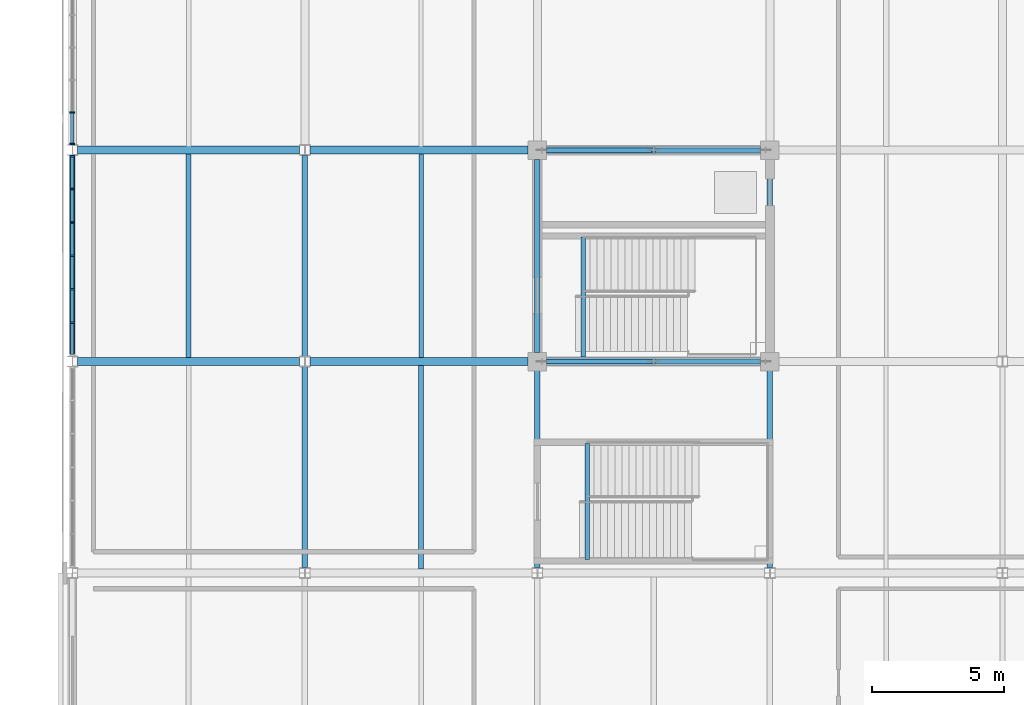
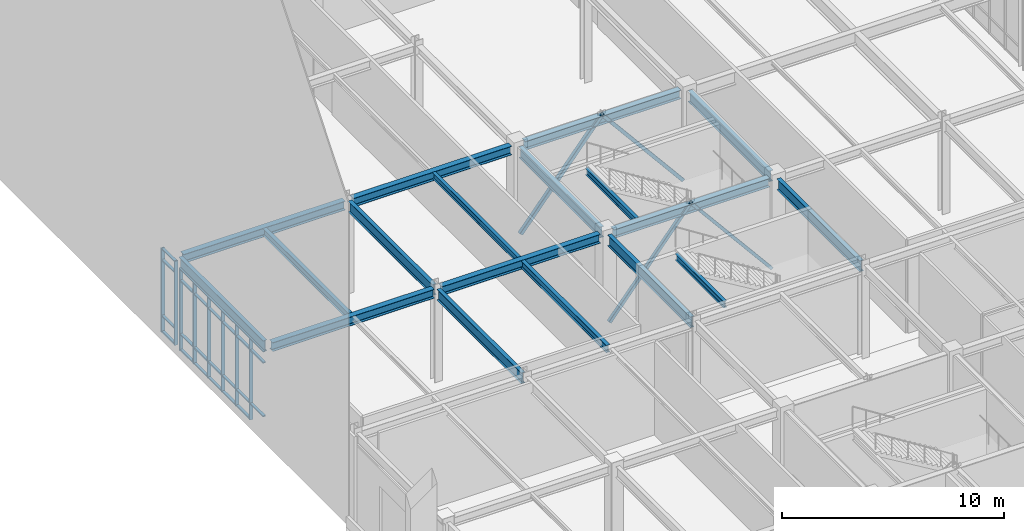
# One storey, part 41 of 119: 39 members, 18 beams, 2 elements without a shape of their own.
"""IFC4 building model written with IfcOpenShell, lengths in metres."""

from ifc_helpers import new_model, si_unit, direction, frame, origin, origin_2d, place, context, subcontext, project, spatial, rectangle, hollow_rectangle, i_section, extrude, material, material_profile, profile_set, type_object, element, aggregate, save


model = new_model("IFC4")

# Units and contexts
model_context = context("Model", 3, precision=1e-05, world=origin(), true_north=direction((0.0, 1.0)))
body_context = subcontext(model_context, "Body", "Model", "MODEL_VIEW")
ifc_project = project(units=[si_unit("LENGTHUNIT", "METRE"), si_unit("AREAUNIT", "SQUARE_METRE"), si_unit("VOLUMEUNIT", "CUBIC_METRE"), si_unit("PLANEANGLEUNIT", "RADIAN"), si_unit("MASSUNIT", "GRAM", prefix="KILO")], contexts=[model_context])

# Site, building, storey
site_placement = place(None, origin())
site = spatial("IfcSite", under=ifc_project, at=site_placement, CompositionType="ELEMENT")
building_placement = place(site_placement, origin())
building = spatial("IfcBuilding", under=site, at=building_placement, Name="Zhaolan Boulevard Law Courts", CompositionType="ELEMENT")
storey_placement = place(building_placement, origin())
storey = spatial("IfcBuildingStorey", under=building, at=storey_placement, Name="L00", CompositionType="ELEMENT", Elevation=0.0)

# Members
ifc_material_1 = material(Name="Structural steel Q355B", Category="steel")
ifc_material_profile_1 = material_profile(ifc_material_1, hollow_rectangle(XDim=0.159912109375, YDim=0.159912109375, WallThickness=0.008056640625, InnerFilletRadius=0.008056640625, OuterFilletRadius=0.01611328125, at=origin_2d()), Name="HSS160x160x8")
ifc_profile_set_1 = profile_set([ifc_material_profile_1], Name="Structural steel Q355B")
member_type_1 = type_object("IfcMemberType", Name="BRACE HSS160", PredefinedType="BRACE", material=ifc_profile_set_1)
member_1_placement = place(storey_placement, frame((26.219970703125, 86.0, 0.030029296875), z_axis=(-0.638239277889, 0.0, 0.769838050605), x_axis=(0.0, -1.0, 0.0)))
element("IfcMember", 1, at=member_1_placement, inside=storey, type_object=member_type_1, Name="Core Brace BR-L1-L00-S2", PredefinedType="BRACE", context=body_context, shape_type="SweptSolid", body=[
    extrude(hollow_rectangle(XDim=0.159912109375, YDim=0.159912109375, WallThickness=0.008056640625, InnerFilletRadius=0.008056640625, OuterFilletRadius=0.01611328125, at=origin_2d()), origin(), (0.0, 0.0, 1.0), 6.61181640625),
])
ifc_material_2 = material(Name="Structural steel Q355B", Category="steel")
ifc_material_profile_2 = material_profile(ifc_material_2, hollow_rectangle(XDim=0.179931640625, YDim=0.179931640625, WallThickness=0.008056640625, InnerFilletRadius=0.008056640625, OuterFilletRadius=0.01611328125, at=origin_2d()), Name="HSS180x180x8")
ifc_profile_set_2 = profile_set([ifc_material_profile_2], Name="Structural steel Q355B")
member_type_2 = type_object("IfcMemberType", Name="BRACE HSS180", PredefinedType="BRACE", material=ifc_profile_set_2)
for number, where, z_axis, x_axis, name in (
    (2, (26.219970703125, 94.0, 0.030029296875), (-0.638239277889, 0.0, 0.769838050605), (0.0, -1.0, 0.0), "Core Brace BR-L1-L00-N2"),
    (3, (17.780029296875, 86.0, 0.030029296875), (0.638239277889, 0.0, 0.769838050605), (0.0, 1.0, 0.0), "Core Brace BR-L1-L00-S1"),
):
    element("IfcMember", number, at=place(storey_placement, frame(where, z_axis=z_axis, x_axis=x_axis)), inside=storey, type_object=member_type_2, Name=name, PredefinedType="BRACE", context=body_context, shape_type="SweptSolid", body=[
        extrude(hollow_rectangle(XDim=0.179931640625, YDim=0.179931640625, WallThickness=0.008056640625, InnerFilletRadius=0.008056640625, OuterFilletRadius=0.01611328125, at=origin_2d()), origin(), (0.0, 0.0, 1.0), 6.61181640625),
    ])
ifc_material_3 = material(Name="Structural steel Q355B", Category="steel")
ifc_material_profile_3 = material_profile(ifc_material_3, hollow_rectangle(XDim=0.199951171875, YDim=0.199951171875, WallThickness=0.010009765625, InnerFilletRadius=0.010009765625, OuterFilletRadius=0.02001953125, at=origin_2d()), Name="HSS200x200x10")
ifc_profile_set_3 = profile_set([ifc_material_profile_3], Name="Structural steel Q355B")
member_type_3 = type_object("IfcMemberType", Name="BRACE HSS200", PredefinedType="BRACE", material=ifc_profile_set_3)
member_2_placement = place(storey_placement, frame((17.780029296875, 94.0, 0.030029296875), z_axis=(0.638239277889, 0.0, 0.769838050605), x_axis=(0.0, 1.0, 0.0)))
element("IfcMember", 4, at=member_2_placement, inside=storey, type_object=member_type_3, Name="Core Brace BR-L1-L00-N1", PredefinedType="BRACE", context=body_context, shape_type="SweptSolid", body=[
    extrude(hollow_rectangle(XDim=0.199951171875, YDim=0.199951171875, WallThickness=0.010009765625, InnerFilletRadius=0.010009765625, OuterFilletRadius=0.02001953125, at=origin_2d()), origin(), (0.0, 0.0, 1.0), 6.61181640625),
])

# Curtain wall, members
ifc_material_4 = material(Name="Thermally broken aluminium and low-E glazing", Category="aluminium")
curtain_wall_type_1 = type_object("IfcCurtainWallType", Name="CURTAIN WALL M5", PredefinedType="USERDEFINED", material=ifc_material_4)
curtain_wall_1_placement = place(storey_placement, origin())
curtain_wall_1 = element("IfcCurtainWall", 5, at=curtain_wall_1_placement, inside=storey, type_object=curtain_wall_type_1, Name="Curtain Wall CW-L00-101", ObjectType="CURTAIN WALL", PredefinedType="USERDEFINED")
ifc_material_5 = material(Name="Fluorocarbon-coated aluminium 6063-T6", Category="aluminium")
ifc_material_profile_4 = material_profile(ifc_material_5, rectangle(XDim=0.179931640625, YDim=0.06494140625, at=origin_2d()), Name="AL65x180")
ifc_profile_set_4 = profile_set([ifc_material_profile_4], Name="Fluorocarbon-coated aluminium 6063-T6")
member_type_4 = type_object("IfcMemberType", Name="CWMULLION 65X180", PredefinedType="MULLION", material=ifc_profile_set_4)
member_3_placement = place(storey_placement, frame((0.0, 93.765380859375, 0.0), z_axis=(0.0, 0.0, 1.0), x_axis=(1.0, 0.0, 0.0)))
member_3 = element("IfcMember", 6, at=member_3_placement, type_object=member_type_4, Name="CW-L00-101 mullion 1", PredefinedType="MULLION", context=body_context, shape_type="SweptSolid", body=[
    extrude(rectangle(XDim=0.179931640625, YDim=0.06494140625, at=origin_2d()), origin(), (0.0, 0.0, 1.0), 4.5029296875),
])
member_4_placement = place(storey_placement, frame((0.0, 92.531982421875, 0.0), z_axis=(0.0, 0.0, 1.0), x_axis=(1.0, 0.0, 0.0)))
member_4 = element("IfcMember", 7, at=member_4_placement, type_object=member_type_4, Name="CW-L00-101 mullion 2", PredefinedType="MULLION", context=body_context, shape_type="SweptSolid", body=[
    extrude(rectangle(XDim=0.179931640625, YDim=0.06494140625, at=origin_2d()), origin(), (0.0, 0.0, 1.0), 4.5029296875),
])
member_5_placement = place(storey_placement, frame((0.0, 91.26611328125, 0.0), z_axis=(0.0, 0.0, 1.0), x_axis=(1.0, 0.0, 0.0)))
member_5 = element("IfcMember", 8, at=member_5_placement, type_object=member_type_4, Name="CW-L00-101 mullion 3", PredefinedType="MULLION", context=body_context, shape_type="SweptSolid", body=[
    extrude(rectangle(XDim=0.179931640625, YDim=0.06494140625, at=origin_2d()), origin(), (0.0, 0.0, 1.0), 4.5029296875),
])
member_6_placement = place(storey_placement, frame((0.0, 90.0, 0.0), z_axis=(0.0, 0.0, 1.0), x_axis=(1.0, 0.0, 0.0)))
member_6 = element("IfcMember", 9, at=member_6_placement, type_object=member_type_4, Name="CW-L00-101 mullion 4", PredefinedType="MULLION", context=body_context, shape_type="SweptSolid", body=[
    extrude(rectangle(XDim=0.179931640625, YDim=0.06494140625, at=origin_2d()), origin(), (0.0, 0.0, 1.0), 4.5029296875),
])
member_7_placement = place(storey_placement, frame((0.0, 88.73388671875, 0.0), z_axis=(0.0, 0.0, 1.0), x_axis=(1.0, 0.0, 0.0)))
member_7 = element("IfcMember", 10, at=member_7_placement, type_object=member_type_4, Name="CW-L00-101 mullion 5", PredefinedType="MULLION", context=body_context, shape_type="SweptSolid", body=[
    extrude(rectangle(XDim=0.179931640625, YDim=0.06494140625, at=origin_2d()), origin(), (0.0, 0.0, 1.0), 4.5029296875),
])
member_8_placement = place(storey_placement, frame((0.0, 87.468017578125, 0.0), z_axis=(0.0, 0.0, 1.0), x_axis=(1.0, 0.0, 0.0)))
member_8 = element("IfcMember", 11, at=member_8_placement, type_object=member_type_4, Name="CW-L00-101 mullion 6", PredefinedType="MULLION", context=body_context, shape_type="SweptSolid", body=[
    extrude(rectangle(XDim=0.179931640625, YDim=0.06494140625, at=origin_2d()), origin(), (0.0, 0.0, 1.0), 4.5029296875),
])

ifc_material_6 = material(Name="Thermally broken aluminium and low-E glazing", Category="aluminium")
curtain_wall_type_2 = type_object("IfcCurtainWallType", Name="CURTAIN WALL M6", PredefinedType="USERDEFINED", material=ifc_material_6)
curtain_wall_2_placement = place(storey_placement, origin())
curtain_wall_2 = element("IfcCurtainWall", 12, at=curtain_wall_2_placement, inside=storey, type_object=curtain_wall_type_2, Name="Curtain Wall CW-L00-102", ObjectType="CURTAIN WALL", PredefinedType="USERDEFINED")
member_9_placement = place(storey_placement, frame((0.0, 95.429931640625, 0.0), z_axis=(0.0, 0.0, 1.0), x_axis=(1.0, 0.0, 0.0)))
member_9 = element("IfcMember", 13, at=member_9_placement, type_object=member_type_4, Name="CW-L00-102 mullion 7", PredefinedType="MULLION", context=body_context, shape_type="SweptSolid", body=[
    extrude(rectangle(XDim=0.179931640625, YDim=0.06494140625, at=origin_2d()), origin(), (0.0, 0.0, 1.0), 4.62109375),
])
member_10_placement = place(storey_placement, frame((0.0, 94.234619140625, 0.0), z_axis=(0.0, 0.0, 1.0), x_axis=(1.0, 0.0, 0.0)))
member_10 = element("IfcMember", 14, at=member_10_placement, type_object=member_type_4, Name="CW-L00-102 mullion 8", PredefinedType="MULLION", context=body_context, shape_type="SweptSolid", body=[
    extrude(rectangle(XDim=0.179931640625, YDim=0.06494140625, at=origin_2d()), origin(), (0.0, 0.0, 1.0), 4.62109375),
])

# Member
ifc_material_7 = material(Name="Fluorocarbon-coated aluminium 6063-T6", Category="aluminium")
ifc_material_profile_5 = material_profile(ifc_material_7, rectangle(XDim=0.139892578125, YDim=0.06494140625, at=origin_2d()), Name="AL65x140")
ifc_profile_set_5 = profile_set([ifc_material_profile_5], Name="Fluorocarbon-coated aluminium 6063-T6")
member_type_5 = type_object("IfcMemberType", Name="CWTRANSOM 65X140", PredefinedType="USERDEFINED", material=ifc_profile_set_5)
member_11_placement = place(storey_placement, frame((0.0, 93.73291015625, 0.032470703125), z_axis=(0.0, -1.0, 0.0), x_axis=(1.0, 0.0, 0.0)))
member_11 = element("IfcMember", 15, at=member_11_placement, type_object=member_type_5, Name="CW-L00-101 transom 1.1", ObjectType="TRANSOM", PredefinedType="USERDEFINED", context=body_context, shape_type="SweptSolid", body=[
    extrude(rectangle(XDim=0.139892578125, YDim=0.06494140625, at=origin_2d()), origin(), (0.0, 0.0, 1.0), 1.16845703125),
])

member_12_placement = place(storey_placement, frame((0.0, 93.73291015625, 0.89990234375), z_axis=(0.0, -1.0, 0.0), x_axis=(1.0, 0.0, 0.0)))
member_12 = element("IfcMember", 16, at=member_12_placement, type_object=member_type_5, Name="CW-L00-101 transom 1.2", ObjectType="TRANSOM", PredefinedType="USERDEFINED", context=body_context, shape_type="SweptSolid", body=[
    extrude(rectangle(XDim=0.139892578125, YDim=0.06494140625, at=origin_2d()), origin(), (0.0, 0.0, 1.0), 1.16845703125),
])

member_13_placement = place(storey_placement, frame((0.0, 93.73291015625, 3.85302734375), z_axis=(0.0, -1.0, 0.0), x_axis=(1.0, 0.0, 0.0)))
member_13 = element("IfcMember", 17, at=member_13_placement, type_object=member_type_5, Name="CW-L00-101 transom 1.3", ObjectType="TRANSOM", PredefinedType="USERDEFINED", context=body_context, shape_type="SweptSolid", body=[
    extrude(rectangle(XDim=0.139892578125, YDim=0.06494140625, at=origin_2d()), origin(), (0.0, 0.0, 1.0), 1.16845703125),
])

member_14_placement = place(storey_placement, frame((0.0, 93.73291015625, 4.470458984375), z_axis=(0.0, -1.0, 0.0), x_axis=(1.0, 0.0, 0.0)))
member_14 = element("IfcMember", 18, at=member_14_placement, type_object=member_type_5, Name="CW-L00-101 transom 1.4", ObjectType="TRANSOM", PredefinedType="USERDEFINED", context=body_context, shape_type="SweptSolid", body=[
    extrude(rectangle(XDim=0.139892578125, YDim=0.06494140625, at=origin_2d()), origin(), (0.0, 0.0, 1.0), 1.16845703125),
])

member_15_placement = place(storey_placement, frame((0.0, 92.49951171875, 0.032470703125), z_axis=(0.0, -1.0, 0.0), x_axis=(1.0, 0.0, 0.0)))
member_15 = element("IfcMember", 19, at=member_15_placement, type_object=member_type_5, Name="CW-L00-101 transom 2.1", ObjectType="TRANSOM", PredefinedType="USERDEFINED", context=body_context, shape_type="SweptSolid", body=[
    extrude(rectangle(XDim=0.139892578125, YDim=0.06494140625, at=origin_2d()), origin(), (0.0, 0.0, 1.0), 1.200927734375),
])

member_16_placement = place(storey_placement, frame((0.0, 92.49951171875, 0.89990234375), z_axis=(0.0, -1.0, 0.0), x_axis=(1.0, 0.0, 0.0)))
member_16 = element("IfcMember", 20, at=member_16_placement, type_object=member_type_5, Name="CW-L00-101 transom 2.2", ObjectType="TRANSOM", PredefinedType="USERDEFINED", context=body_context, shape_type="SweptSolid", body=[
    extrude(rectangle(XDim=0.139892578125, YDim=0.06494140625, at=origin_2d()), origin(), (0.0, 0.0, 1.0), 1.200927734375),
])

member_17_placement = place(storey_placement, frame((0.0, 92.49951171875, 3.85302734375), z_axis=(0.0, -1.0, 0.0), x_axis=(1.0, 0.0, 0.0)))
member_17 = element("IfcMember", 21, at=member_17_placement, type_object=member_type_5, Name="CW-L00-101 transom 2.3", ObjectType="TRANSOM", PredefinedType="USERDEFINED", context=body_context, shape_type="SweptSolid", body=[
    extrude(rectangle(XDim=0.139892578125, YDim=0.06494140625, at=origin_2d()), origin(), (0.0, 0.0, 1.0), 1.200927734375),
])

member_18_placement = place(storey_placement, frame((0.0, 92.49951171875, 4.470458984375), z_axis=(0.0, -1.0, 0.0), x_axis=(1.0, 0.0, 0.0)))
member_18 = element("IfcMember", 22, at=member_18_placement, type_object=member_type_5, Name="CW-L00-101 transom 2.4", ObjectType="TRANSOM", PredefinedType="USERDEFINED", context=body_context, shape_type="SweptSolid", body=[
    extrude(rectangle(XDim=0.139892578125, YDim=0.06494140625, at=origin_2d()), origin(), (0.0, 0.0, 1.0), 1.200927734375),
])

member_19_placement = place(storey_placement, frame((0.0, 91.2333984375, 0.032470703125), z_axis=(0.0, -1.0, 0.0), x_axis=(1.0, 0.0, 0.0)))
member_19 = element("IfcMember", 23, at=member_19_placement, type_object=member_type_5, Name="CW-L00-101 transom 3.1", ObjectType="TRANSOM", PredefinedType="USERDEFINED", context=body_context, shape_type="SweptSolid", body=[
    extrude(rectangle(XDim=0.139892578125, YDim=0.06494140625, at=origin_2d()), origin(), (0.0, 0.0, 1.0), 1.200927734375),
])

member_20_placement = place(storey_placement, frame((0.0, 91.2333984375, 0.89990234375), z_axis=(0.0, -1.0, 0.0), x_axis=(1.0, 0.0, 0.0)))
member_20 = element("IfcMember", 24, at=member_20_placement, type_object=member_type_5, Name="CW-L00-101 transom 3.2", ObjectType="TRANSOM", PredefinedType="USERDEFINED", context=body_context, shape_type="SweptSolid", body=[
    extrude(rectangle(XDim=0.139892578125, YDim=0.06494140625, at=origin_2d()), origin(), (0.0, 0.0, 1.0), 1.200927734375),
])

member_21_placement = place(storey_placement, frame((0.0, 91.2333984375, 3.85302734375), z_axis=(0.0, -1.0, 0.0), x_axis=(1.0, 0.0, 0.0)))
member_21 = element("IfcMember", 25, at=member_21_placement, type_object=member_type_5, Name="CW-L00-101 transom 3.3", ObjectType="TRANSOM", PredefinedType="USERDEFINED", context=body_context, shape_type="SweptSolid", body=[
    extrude(rectangle(XDim=0.139892578125, YDim=0.06494140625, at=origin_2d()), origin(), (0.0, 0.0, 1.0), 1.200927734375),
])

member_22_placement = place(storey_placement, frame((0.0, 91.2333984375, 4.470458984375), z_axis=(0.0, -1.0, 0.0), x_axis=(1.0, 0.0, 0.0)))
member_22 = element("IfcMember", 26, at=member_22_placement, type_object=member_type_5, Name="CW-L00-101 transom 3.4", ObjectType="TRANSOM", PredefinedType="USERDEFINED", context=body_context, shape_type="SweptSolid", body=[
    extrude(rectangle(XDim=0.139892578125, YDim=0.06494140625, at=origin_2d()), origin(), (0.0, 0.0, 1.0), 1.200927734375),
])

member_23_placement = place(storey_placement, frame((0.0, 89.967529296875, 0.032470703125), z_axis=(0.0, -1.0, 0.0), x_axis=(1.0, 0.0, 0.0)))
member_23 = element("IfcMember", 27, at=member_23_placement, type_object=member_type_5, Name="CW-L00-101 transom 4.1", ObjectType="TRANSOM", PredefinedType="USERDEFINED", context=body_context, shape_type="SweptSolid", body=[
    extrude(rectangle(XDim=0.139892578125, YDim=0.06494140625, at=origin_2d()), origin(), (0.0, 0.0, 1.0), 1.200927734375),
])

member_24_placement = place(storey_placement, frame((0.0, 89.967529296875, 0.89990234375), z_axis=(0.0, -1.0, 0.0), x_axis=(1.0, 0.0, 0.0)))
member_24 = element("IfcMember", 28, at=member_24_placement, type_object=member_type_5, Name="CW-L00-101 transom 4.2", ObjectType="TRANSOM", PredefinedType="USERDEFINED", context=body_context, shape_type="SweptSolid", body=[
    extrude(rectangle(XDim=0.139892578125, YDim=0.06494140625, at=origin_2d()), origin(), (0.0, 0.0, 1.0), 1.200927734375),
])

member_25_placement = place(storey_placement, frame((0.0, 89.967529296875, 3.85302734375), z_axis=(0.0, -1.0, 0.0), x_axis=(1.0, 0.0, 0.0)))
member_25 = element("IfcMember", 29, at=member_25_placement, type_object=member_type_5, Name="CW-L00-101 transom 4.3", ObjectType="TRANSOM", PredefinedType="USERDEFINED", context=body_context, shape_type="SweptSolid", body=[
    extrude(rectangle(XDim=0.139892578125, YDim=0.06494140625, at=origin_2d()), origin(), (0.0, 0.0, 1.0), 1.200927734375),
])

member_26_placement = place(storey_placement, frame((0.0, 89.967529296875, 4.470458984375), z_axis=(0.0, -1.0, 0.0), x_axis=(1.0, 0.0, 0.0)))
member_26 = element("IfcMember", 30, at=member_26_placement, type_object=member_type_5, Name="CW-L00-101 transom 4.4", ObjectType="TRANSOM", PredefinedType="USERDEFINED", context=body_context, shape_type="SweptSolid", body=[
    extrude(rectangle(XDim=0.139892578125, YDim=0.06494140625, at=origin_2d()), origin(), (0.0, 0.0, 1.0), 1.200927734375),
])

member_27_placement = place(storey_placement, frame((0.0, 88.701416015625, 0.032470703125), z_axis=(0.0, -1.0, 0.0), x_axis=(1.0, 0.0, 0.0)))
member_27 = element("IfcMember", 31, at=member_27_placement, type_object=member_type_5, Name="CW-L00-101 transom 5.1", ObjectType="TRANSOM", PredefinedType="USERDEFINED", context=body_context, shape_type="SweptSolid", body=[
    extrude(rectangle(XDim=0.139892578125, YDim=0.06494140625, at=origin_2d()), origin(), (0.0, 0.0, 1.0), 1.200927734375),
])

member_28_placement = place(storey_placement, frame((0.0, 88.701416015625, 0.89990234375), z_axis=(0.0, -1.0, 0.0), x_axis=(1.0, 0.0, 0.0)))
member_28 = element("IfcMember", 32, at=member_28_placement, type_object=member_type_5, Name="CW-L00-101 transom 5.2", ObjectType="TRANSOM", PredefinedType="USERDEFINED", context=body_context, shape_type="SweptSolid", body=[
    extrude(rectangle(XDim=0.139892578125, YDim=0.06494140625, at=origin_2d()), origin(), (0.0, 0.0, 1.0), 1.200927734375),
])

member_29_placement = place(storey_placement, frame((0.0, 88.701416015625, 3.85302734375), z_axis=(0.0, -1.0, 0.0), x_axis=(1.0, 0.0, 0.0)))
member_29 = element("IfcMember", 33, at=member_29_placement, type_object=member_type_5, Name="CW-L00-101 transom 5.3", ObjectType="TRANSOM", PredefinedType="USERDEFINED", context=body_context, shape_type="SweptSolid", body=[
    extrude(rectangle(XDim=0.139892578125, YDim=0.06494140625, at=origin_2d()), origin(), (0.0, 0.0, 1.0), 1.200927734375),
])

member_30_placement = place(storey_placement, frame((0.0, 88.701416015625, 4.470458984375), z_axis=(0.0, -1.0, 0.0), x_axis=(1.0, 0.0, 0.0)))
member_30 = element("IfcMember", 34, at=member_30_placement, type_object=member_type_5, Name="CW-L00-101 transom 5.4", ObjectType="TRANSOM", PredefinedType="USERDEFINED", context=body_context, shape_type="SweptSolid", body=[
    extrude(rectangle(XDim=0.139892578125, YDim=0.06494140625, at=origin_2d()), origin(), (0.0, 0.0, 1.0), 1.200927734375),
])

member_31_placement = place(storey_placement, frame((0.0, 87.435546875, 0.89990234375), z_axis=(0.0, -1.0, 0.0), x_axis=(1.0, 0.0, 0.0)))
member_31 = element("IfcMember", 35, at=member_31_placement, type_object=member_type_5, Name="CW-L00-101 transom 6.2", ObjectType="TRANSOM", PredefinedType="USERDEFINED", context=body_context, shape_type="SweptSolid", body=[
    extrude(rectangle(XDim=0.139892578125, YDim=0.06494140625, at=origin_2d()), origin(), (0.0, 0.0, 1.0), 1.16845703125),
])

member_32_placement = place(storey_placement, frame((0.0, 87.435546875, 3.85302734375), z_axis=(0.0, -1.0, 0.0), x_axis=(1.0, 0.0, 0.0)))
member_32 = element("IfcMember", 36, at=member_32_placement, type_object=member_type_5, Name="CW-L00-101 transom 6.3", ObjectType="TRANSOM", PredefinedType="USERDEFINED", context=body_context, shape_type="SweptSolid", body=[
    extrude(rectangle(XDim=0.139892578125, YDim=0.06494140625, at=origin_2d()), origin(), (0.0, 0.0, 1.0), 1.16845703125),
])

member_33_placement = place(storey_placement, frame((0.0, 87.435546875, 4.470458984375), z_axis=(0.0, -1.0, 0.0), x_axis=(1.0, 0.0, 0.0)))
member_33 = element("IfcMember", 37, at=member_33_placement, type_object=member_type_5, Name="CW-L00-101 transom 6.4", ObjectType="TRANSOM", PredefinedType="USERDEFINED", context=body_context, shape_type="SweptSolid", body=[
    extrude(rectangle(XDim=0.139892578125, YDim=0.06494140625, at=origin_2d()), origin(), (0.0, 0.0, 1.0), 1.16845703125),
])

aggregate(curtain_wall_1, [member_3, member_4, member_5, member_6, member_7, member_8, member_11, member_12, member_13, member_14, member_15, member_16, member_17, member_18, member_19, member_20, member_21, member_22, member_23, member_24, member_25, member_26, member_27, member_28, member_29, member_30, member_31, member_32, member_33])

member_34_placement = place(storey_placement, frame((0.0, 95.3974609375, 0.032470703125), z_axis=(0.0, -1.0, 0.0), x_axis=(1.0, 0.0, 0.0)))
member_34 = element("IfcMember", 38, at=member_34_placement, type_object=member_type_5, Name="CW-L00-102 transom 7.1", ObjectType="TRANSOM", PredefinedType="USERDEFINED", context=body_context, shape_type="SweptSolid", body=[
    extrude(rectangle(XDim=0.139892578125, YDim=0.06494140625, at=origin_2d()), origin(), (0.0, 0.0, 1.0), 1.13037109375),
])

member_35_placement = place(storey_placement, frame((0.0, 95.3974609375, 0.89990234375), z_axis=(0.0, -1.0, 0.0), x_axis=(1.0, 0.0, 0.0)))
member_35 = element("IfcMember", 39, at=member_35_placement, type_object=member_type_5, Name="CW-L00-102 transom 7.2", ObjectType="TRANSOM", PredefinedType="USERDEFINED", context=body_context, shape_type="SweptSolid", body=[
    extrude(rectangle(XDim=0.139892578125, YDim=0.06494140625, at=origin_2d()), origin(), (0.0, 0.0, 1.0), 1.13037109375),
])

member_36_placement = place(storey_placement, frame((0.0, 95.3974609375, 3.970947265625), z_axis=(0.0, -1.0, 0.0), x_axis=(1.0, 0.0, 0.0)))
member_36 = element("IfcMember", 40, at=member_36_placement, type_object=member_type_5, Name="CW-L00-102 transom 7.3", ObjectType="TRANSOM", PredefinedType="USERDEFINED", context=body_context, shape_type="SweptSolid", body=[
    extrude(rectangle(XDim=0.139892578125, YDim=0.06494140625, at=origin_2d()), origin(), (0.0, 0.0, 1.0), 1.13037109375),
])

member_37_placement = place(storey_placement, frame((0.0, 95.3974609375, 4.58837890625), z_axis=(0.0, -1.0, 0.0), x_axis=(1.0, 0.0, 0.0)))
member_37 = element("IfcMember", 41, at=member_37_placement, type_object=member_type_5, Name="CW-L00-102 transom 7.4", ObjectType="TRANSOM", PredefinedType="USERDEFINED", context=body_context, shape_type="SweptSolid", body=[
    extrude(rectangle(XDim=0.139892578125, YDim=0.06494140625, at=origin_2d()), origin(), (0.0, 0.0, 1.0), 1.13037109375),
])

aggregate(curtain_wall_2, [member_9, member_10, member_34, member_35, member_36, member_37])

# Beams
ifc_material_8 = material(Name="Structural steel Q355B", Category="steel")
ifc_material_profile_6 = material_profile(ifc_material_8, i_section(OverallWidth=0.300048828125, OverallDepth=0.488037109375, WebThickness=0.010986328125, FlangeThickness=0.01806640625, FilletRadius=0.02197265625, at=origin_2d()), Name="HM488x300")
ifc_profile_set_6 = profile_set([ifc_material_profile_6], Name="Structural steel Q355B")
beam_type_1 = type_object("IfcBeamType", Name="GIRDER HM500", PredefinedType="BEAM", material=ifc_profile_set_6)
beam_1_placement = place(storey_placement, frame((0.196044921875, 86.0, 4.8740234375), z_axis=(1.0, 0.0, 0.0), x_axis=(0.0, 1.0, 0.0)))
element("IfcBeam", 42, at=beam_1_placement, inside=storey, type_object=beam_type_1, Name="Beam BX-L01-1-2-M", PredefinedType="BEAM", context=body_context, shape_type="SweptSolid", body=[
    extrude(i_section(OverallWidth=0.300048828125, OverallDepth=0.488037109375, WebThickness=0.010986328125, FlangeThickness=0.01806640625, FilletRadius=0.02197265625, at=origin_2d()), origin(), (0.0, 0.0, 1.0), 8.407958984375),
])
beam_2_placement = place(storey_placement, frame((8.99609375, 86.0, 4.8740234375), z_axis=(1.0, 0.0, 0.0), x_axis=(0.0, 1.0, 0.0)))
element("IfcBeam", 43, at=beam_2_placement, inside=storey, type_object=beam_type_1, Name="Beam BX-L01-2-3-M", PredefinedType="BEAM", context=body_context, shape_type="SweptSolid", body=[
    extrude(i_section(OverallWidth=0.300048828125, OverallDepth=0.488037109375, WebThickness=0.010986328125, FlangeThickness=0.01806640625, FilletRadius=0.02197265625, at=origin_2d()), origin(), (0.0, 0.0, 1.0), 8.2578125),
])
beam_3_placement = place(storey_placement, frame((17.946044921875, 86.0, 4.8740234375), z_axis=(1.0, 0.0, 0.0), x_axis=(0.0, 1.0, 0.0)))
element("IfcBeam", 44, at=beam_3_placement, inside=storey, type_object=beam_type_1, Name="Beam BX-L01-3-4-M", PredefinedType="BEAM", context=body_context, shape_type="SweptSolid", body=[
    extrude(i_section(OverallWidth=0.300048828125, OverallDepth=0.488037109375, WebThickness=0.010986328125, FlangeThickness=0.01806640625, FilletRadius=0.02197265625, at=origin_2d()), origin(), (0.0, 0.0, 1.0), 8.10791015625),
])
beam_4_placement = place(storey_placement, frame((0.196044921875, 94.0, 4.8740234375), z_axis=(1.0, 0.0, 0.0), x_axis=(0.0, 1.0, 0.0)))
element("IfcBeam", 45, at=beam_4_placement, inside=storey, type_object=beam_type_1, Name="Beam BX-L01-1-2-N", PredefinedType="BEAM", context=body_context, shape_type="SweptSolid", body=[
    extrude(i_section(OverallWidth=0.300048828125, OverallDepth=0.488037109375, WebThickness=0.010986328125, FlangeThickness=0.01806640625, FilletRadius=0.02197265625, at=origin_2d()), origin(), (0.0, 0.0, 1.0), 8.407958984375),
])
beam_5_placement = place(storey_placement, frame((8.99609375, 94.0, 4.8740234375), z_axis=(1.0, 0.0, 0.0), x_axis=(0.0, 1.0, 0.0)))
element("IfcBeam", 46, at=beam_5_placement, inside=storey, type_object=beam_type_1, Name="Beam BX-L01-2-3-N", PredefinedType="BEAM", context=body_context, shape_type="SweptSolid", body=[
    extrude(i_section(OverallWidth=0.300048828125, OverallDepth=0.488037109375, WebThickness=0.010986328125, FlangeThickness=0.01806640625, FilletRadius=0.02197265625, at=origin_2d()), origin(), (0.0, 0.0, 1.0), 8.2578125),
])
beam_6_placement = place(storey_placement, frame((17.946044921875, 94.0, 4.8740234375), z_axis=(1.0, 0.0, 0.0), x_axis=(0.0, 1.0, 0.0)))
element("IfcBeam", 47, at=beam_6_placement, inside=storey, type_object=beam_type_1, Name="Beam BX-L01-3-4-N", PredefinedType="BEAM", context=body_context, shape_type="SweptSolid", body=[
    extrude(i_section(OverallWidth=0.300048828125, OverallDepth=0.488037109375, WebThickness=0.010986328125, FlangeThickness=0.01806640625, FilletRadius=0.02197265625, at=origin_2d()), origin(), (0.0, 0.0, 1.0), 8.10791015625),
])
ifc_material_9 = material(Name="Structural steel Q355B", Category="steel")
ifc_material_profile_7 = material_profile(ifc_material_9, i_section(OverallWidth=0.199951171875, OverallDepth=0.60009765625, WebThickness=0.010986328125, FlangeThickness=0.01708984375, FilletRadius=0.02001953125, at=origin_2d()), Name="HN600x200")
ifc_profile_set_7 = profile_set([ifc_material_profile_7], Name="Structural steel Q355B")
beam_type_2 = type_object("IfcBeamType", Name="GIRDER HN600", PredefinedType="BEAM", material=ifc_profile_set_7)
for number, where, z_axis, x_axis, name in (
    (48, (0.0, 86.196044921875, 4.818115234375), (0.0, 1.0, 0.0), (-1.0, 0.0, 0.0), "Beam BY-L01-1-M-N"),
    (49, (8.800048828125, 78.196044921875, 4.818115234375), (0.0, 1.0, 0.0), (-1.0, 0.0, 0.0), "Beam BY-L01-2-L-M"),
    (50, (8.800048828125, 86.196044921875, 4.818115234375), (0.0, 1.0, 0.0), (-1.0, 0.0, 0.0), "Beam BY-L01-2-M-N"),
):
    element("IfcBeam", number, at=place(storey_placement, frame(where, z_axis=z_axis, x_axis=x_axis)), inside=storey, type_object=beam_type_2, Name=name, PredefinedType="BEAM", context=body_context, shape_type="SweptSolid", body=[
        extrude(i_section(OverallWidth=0.199951171875, OverallDepth=0.60009765625, WebThickness=0.010986328125, FlangeThickness=0.01708984375, FilletRadius=0.02001953125, at=origin_2d()), origin(), (0.0, 0.0, 1.0), 7.60791015625),
    ])
beam_7_placement = place(storey_placement, frame((17.60009765625, 78.196044921875, 4.818115234375), z_axis=(0.0, 1.0, 0.0), x_axis=(-1.0, 0.0, 0.0)))
element("IfcBeam", 51, at=beam_7_placement, inside=storey, type_object=beam_type_2, Name="Beam BY-L01-3-L-M", PredefinedType="BEAM", context=body_context, shape_type="SweptSolid", body=[
    extrude(i_section(OverallWidth=0.199951171875, OverallDepth=0.60009765625, WebThickness=0.010986328125, FlangeThickness=0.01708984375, FilletRadius=0.02001953125, at=origin_2d()), origin(), (0.0, 0.0, 1.0), 7.4580078125),
])
beam_8_placement = place(storey_placement, frame((17.60009765625, 86.345947265625, 4.818115234375), z_axis=(0.0, 1.0, 0.0), x_axis=(-1.0, 0.0, 0.0)))
element("IfcBeam", 52, at=beam_8_placement, inside=storey, type_object=beam_type_2, Name="Beam BY-L01-3-M-N", PredefinedType="BEAM", context=body_context, shape_type="SweptSolid", body=[
    extrude(i_section(OverallWidth=0.199951171875, OverallDepth=0.60009765625, WebThickness=0.010986328125, FlangeThickness=0.01708984375, FilletRadius=0.02001953125, at=origin_2d()), origin(), (0.0, 0.0, 1.0), 7.30810546875),
])
beam_9_placement = place(storey_placement, frame((26.39990234375, 78.196044921875, 4.818115234375), z_axis=(0.0, 1.0, 0.0), x_axis=(-1.0, 0.0, 0.0)))
element("IfcBeam", 53, at=beam_9_placement, inside=storey, type_object=beam_type_2, Name="Beam BY-L01-4-L-M", PredefinedType="BEAM", context=body_context, shape_type="SweptSolid", body=[
    extrude(i_section(OverallWidth=0.199951171875, OverallDepth=0.60009765625, WebThickness=0.010986328125, FlangeThickness=0.01708984375, FilletRadius=0.02001953125, at=origin_2d()), origin(), (0.0, 0.0, 1.0), 7.4580078125),
])
beam_10_placement = place(storey_placement, frame((26.39990234375, 86.345947265625, 4.818115234375), z_axis=(0.0, 1.0, 0.0), x_axis=(-1.0, 0.0, 0.0)))
element("IfcBeam", 54, at=beam_10_placement, inside=storey, type_object=beam_type_2, Name="Beam BY-L01-4-M-N", PredefinedType="BEAM", context=body_context, shape_type="SweptSolid", body=[
    extrude(i_section(OverallWidth=0.199951171875, OverallDepth=0.60009765625, WebThickness=0.010986328125, FlangeThickness=0.01708984375, FilletRadius=0.02001953125, at=origin_2d()), origin(), (0.0, 0.0, 1.0), 7.30810546875),
])
ifc_material_10 = material(Name="Structural steel Q355B", Category="steel")
ifc_material_profile_8 = material_profile(ifc_material_10, i_section(OverallWidth=0.175048828125, OverallDepth=0.35009765625, WebThickness=0.007080078125, FlangeThickness=0.010986328125, FilletRadius=0.012939453125, at=origin_2d()), Name="HN350x175")
ifc_profile_set_8 = profile_set([ifc_material_profile_8], Name="Structural steel Q355B")
beam_type_3 = type_object("IfcBeamType", Name="JOIST HN350", PredefinedType="JOIST", material=ifc_profile_set_8)
beam_11_placement = place(storey_placement, frame((13.199951171875, 86.14599609375, 4.943115234375), z_axis=(0.0, 1.0, 0.0), x_axis=(-1.0, 0.0, 0.0)))
element("IfcBeam", 55, at=beam_11_placement, inside=storey, type_object=beam_type_3, Name="Composite Joist J-L01-2M", PredefinedType="JOIST", context=body_context, shape_type="SweptSolid", body=[
    extrude(i_section(OverallWidth=0.175048828125, OverallDepth=0.35009765625, WebThickness=0.007080078125, FlangeThickness=0.010986328125, FilletRadius=0.012939453125, at=origin_2d()), origin(), (0.0, 0.0, 1.0), 7.7080078125),
])
ifc_material_11 = material(Name="Structural steel Q355B", Category="steel")
ifc_material_profile_9 = material_profile(ifc_material_11, i_section(OverallWidth=0.199951171875, OverallDepth=0.39990234375, WebThickness=0.008056640625, FlangeThickness=0.012939453125, FilletRadius=0.013916015625, at=origin_2d()), Name="HN400x200")
ifc_profile_set_9 = profile_set([ifc_material_profile_9], Name="Structural steel Q355B")
beam_type_4 = type_object("IfcBeamType", Name="JOIST HN400", PredefinedType="JOIST", material=ifc_profile_set_9)
for number, where, z_axis, x_axis, name in (
    (56, (4.39990234375, 86.14599609375, 4.91796875), (0.0, 1.0, 0.0), (-1.0, 0.0, 0.0), "Composite Joist J-L01-1M"),
    (57, (13.199951171875, 78.14599609375, 4.91796875), (0.0, 1.0, 0.0), (-1.0, 0.0, 0.0), "Composite Joist J-L01-2L"),
):
    element("IfcBeam", number, at=place(storey_placement, frame(where, z_axis=z_axis, x_axis=x_axis)), inside=storey, type_object=beam_type_4, Name=name, PredefinedType="JOIST", context=body_context, shape_type="SweptSolid", body=[
        extrude(i_section(OverallWidth=0.199951171875, OverallDepth=0.39990234375, WebThickness=0.008056640625, FlangeThickness=0.012939453125, FilletRadius=0.013916015625, at=origin_2d()), origin(), (0.0, 0.0, 1.0), 7.7080078125),
    ])
ifc_material_12 = material(Name="Structural steel Q355B", Category="steel")
ifc_material_profile_10 = material_profile(ifc_material_12, i_section(OverallWidth=0.175048828125, OverallDepth=0.35009765625, WebThickness=0.007080078125, FlangeThickness=0.010986328125, FilletRadius=0.012939453125, at=origin_2d()), Name="HN350x175")
ifc_profile_set_10 = profile_set([ifc_material_profile_10], Name="Structural steel Q355B")
beam_type_5 = type_object("IfcBeamType", Name="STAIR TRIMMER HN350", PredefinedType="BEAM", material=ifc_profile_set_10)
beam_12_placement = place(storey_placement, frame((19.3349609375, 86.1650390625, 4.93505859375), z_axis=(0.0, 1.0, 0.0), x_axis=(-1.0, 0.0, 0.0)))
element("IfcBeam", 58, at=beam_12_placement, inside=storey, type_object=beam_type_5, Name="Stair Landing Trimmer Beam STB-ST10-L01", PredefinedType="BEAM", context=body_context, shape_type="SweptSolid", body=[
    extrude(i_section(OverallWidth=0.175048828125, OverallDepth=0.35009765625, WebThickness=0.007080078125, FlangeThickness=0.010986328125, FilletRadius=0.012939453125, at=origin_2d()), origin(), (0.0, 0.0, 1.0), 4.544921875),
])
beam_13_placement = place(storey_placement, frame((19.485107421875, 78.5, 4.93505859375), z_axis=(0.0, 1.0, 0.0), x_axis=(-1.0, 0.0, 0.0)))
element("IfcBeam", 59, at=beam_13_placement, inside=storey, type_object=beam_type_5, Name="Stair Landing Trimmer Beam STB-ST12-L01", PredefinedType="BEAM", context=body_context, shape_type="SweptSolid", body=[
    extrude(i_section(OverallWidth=0.175048828125, OverallDepth=0.35009765625, WebThickness=0.007080078125, FlangeThickness=0.010986328125, FilletRadius=0.012939453125, at=origin_2d()), origin(), (0.0, 0.0, 1.0), 4.39990234375),
])

save(model, "model.ifc")
